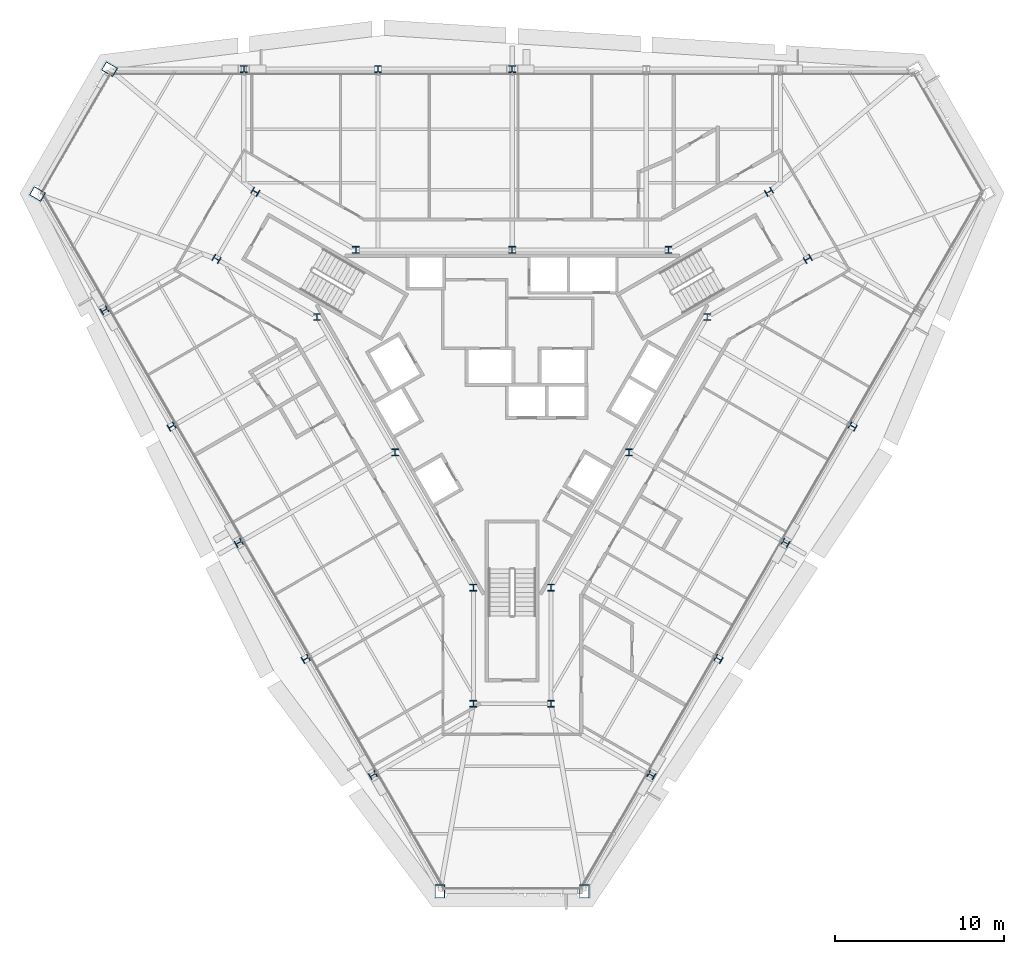
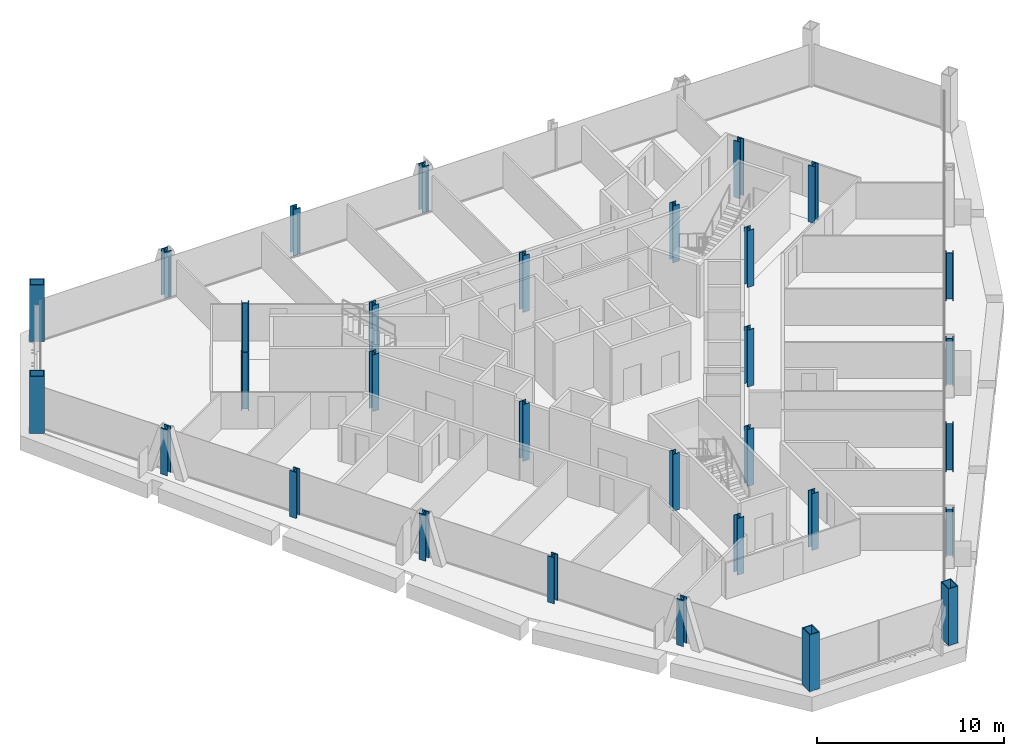
# One storey, part 1 of 14: 31 columns.
"""IFC4 building model written with IfcOpenShell, lengths in metres."""

from ifc_helpers import new_model, si_unit, direction, frame, origin, origin_2d, place, context, subcontext, project, spatial, hollow_rectangle, i_section, extrude, material, material_profile, profile_set, type_object, element, save


model = new_model("IFC4")

# Units and contexts
model_context = context("Model", 3, precision=1e-05, world=origin(), true_north=direction((0.0, 1.0)))
body_context = subcontext(model_context, "Body", "Model", "MODEL_VIEW")
ifc_project = project(units=[si_unit("LENGTHUNIT", "METRE"), si_unit("AREAUNIT", "SQUARE_METRE"), si_unit("VOLUMEUNIT", "CUBIC_METRE"), si_unit("PLANEANGLEUNIT", "RADIAN"), si_unit("MASSUNIT", "GRAM", prefix="KILO")], contexts=[model_context])

# Site, building, storey
site_placement = place(None, origin())
site = spatial("IfcSite", under=ifc_project, at=site_placement, CompositionType="ELEMENT")
building_placement = place(site_placement, origin())
building = spatial("IfcBuilding", under=site, at=building_placement, Name="Verrane Prism Tower", CompositionType="ELEMENT")
storey_placement = place(building_placement, frame((0.0, 0.0, 196.89990234375)))
storey = spatial("IfcBuildingStorey", under=building, at=storey_placement, Name="L49", CompositionType="ELEMENT", Elevation=196.89990234375)

# Columns
ifc_material_1 = material(Name="Steel A992", Category="steel")
ifc_material_profile_1 = material_profile(ifc_material_1, i_section(OverallWidth=0.406494140625, OverallDepth=0.41650390625, WebThickness=0.030029296875, FlangeThickness=0.048095703125, FilletRadius=0.01513671875, at=origin_2d()), Name="W14x257")
ifc_profile_set_1 = profile_set([ifc_material_profile_1], Name="Steel A992")
column_type_1 = type_object("IfcColumnType", Name="Core corner column W14x257", PredefinedType="COLUMN", material=ifc_profile_set_1)
for number, where, z_axis, x_axis, name in (
    (1, (17.52001953125, 7.4599609375, 0.0), (0.0, 0.0, 1.0), (0.5, -0.866025403784, 0.0), "Core corner column CK-NEm L49"),
    (2, (15.219970703125, 11.43994140625, 0.0), (0.0, 0.0, 1.0), (0.5, -0.866025403784, 0.0), "Core corner column CK-NEp L49"),
    (3, (-15.219970703125, 11.43994140625, 0.0), (0.0, 0.0, 1.0), (0.5, 0.866025403784, 0.0), "Core corner column CK-NWm L49"),
    (4, (-17.52001953125, 7.4599609375, 0.0), (0.0, 0.0, 1.0), (0.5, 0.866025403784, 0.0), "Core corner column CK-NWp L49"),
    (5, (-2.300048828125, -18.89990234375, 0.0), (0.0, 0.0, 1.0), (-1.0, 0.0, 0.0), "Core corner column CK-Sm L49"),
    (6, (2.300048828125, -18.89990234375, 0.0), (0.0, 0.0, 1.0), (-1.0, 0.0, 0.0), "Core corner column CK-Sp L49"),
):
    element("IfcColumn", number, at=place(storey_placement, frame(where, z_axis=z_axis, x_axis=x_axis)), inside=storey, type_object=column_type_1, Name=name, PredefinedType="COLUMN", context=body_context, shape_type="SweptSolid", body=[
        extrude(i_section(OverallWidth=0.406494140625, OverallDepth=0.41650390625, WebThickness=0.030029296875, FlangeThickness=0.048095703125, FilletRadius=0.01513671875, at=origin_2d()), origin(), (0.0, 0.0, 1.0), 3.7001953125),
    ])
ifc_material_2 = material(Name="Steel A992", Category="steel")
ifc_material_profile_2 = material_profile(ifc_material_2, i_section(OverallWidth=0.4013671875, OverallDepth=0.398681640625, WebThickness=0.02490234375, FlangeThickness=0.03955078125, FilletRadius=0.01513671875, at=origin_2d()), Name="W14x211")
ifc_profile_set_2 = profile_set([ifc_material_profile_2], Name="Steel A992")
column_type_2 = type_object("IfcColumnType", Name="Core side column W14x211", PredefinedType="COLUMN", material=ifc_profile_set_2)
for number, where, z_axis, x_axis, name in (
    (7, (11.56005859375, 4.02001953125, 0.0), (0.0, 0.0, 1.0), (1.0, 0.0, 0.0), "Core side column CC-NEm L49"),
    (8, (9.260009765625, 8.0, 0.0), (0.0, 0.0, 1.0), (1.0, 0.0, 0.0), "Core side column CC-NEp L49"),
    (9, (0.0, 8.0, 0.0), (0.0, 0.0, 1.0), (1.0, 0.0, 0.0), "Core side column CC-N0 L49"),
    (10, (-9.260009765625, 8.0, 0.0), (0.0, 0.0, 1.0), (1.0, 0.0, 0.0), "Core side column CC-NWm L49"),
    (11, (-11.56005859375, 4.02001953125, 0.0), (0.0, 0.0, 1.0), (1.0, 0.0, 0.0), "Core side column CC-NWp L49"),
    (12, (-6.929931640625, -4.0, 0.0), (0.0, 0.0, 1.0), (1.0, 0.0, 0.0), "Core side column CC-SW0 L49"),
    (13, (-2.300048828125, -12.02001953125, 0.0), (0.0, 0.0, 1.0), (1.0, 0.0, 0.0), "Core side column CC-Sm L49"),
    (14, (2.300048828125, -12.02001953125, 0.0), (0.0, 0.0, 1.0), (1.0, 0.0, 0.0), "Core side column CC-Sp L49"),
    (15, (6.929931640625, -4.0, 0.0), (0.0, 0.0, 1.0), (1.0, 0.0, 0.0), "Core side column CC-SE0 L49"),
):
    element("IfcColumn", number, at=place(storey_placement, frame(where, z_axis=z_axis, x_axis=x_axis)), inside=storey, type_object=column_type_2, Name=name, PredefinedType="COLUMN", context=body_context, shape_type="SweptSolid", body=[
        extrude(i_section(OverallWidth=0.4013671875, OverallDepth=0.398681640625, WebThickness=0.02490234375, FlangeThickness=0.03955078125, FilletRadius=0.01513671875, at=origin_2d()), origin(), (0.0, 0.0, 1.0), 3.7001953125),
    ])
ifc_material_3 = material(Name="Steel A572 Grade 50", Category="steel")
ifc_material_profile_3 = material_profile(ifc_material_3, hollow_rectangle(XDim=0.60009765625, YDim=0.800048828125, WallThickness=0.050048828125, at=origin_2d()), Name="BOX 800x600x50")
ifc_profile_set_3 = profile_set([ifc_material_profile_3], Name="Steel A572 Grade 50")
column_type_3 = type_object("IfcColumnType", Name="Megacolumn BOX 800x600x50", PredefinedType="COLUMN", material=ifc_profile_set_3)
for number, where, z_axis, x_axis, name in (
    (16, (-23.860107421875, 18.7099609375, 0.0), (0.0, 0.0, 1.0), (0.5, 0.866025403784, 0.0), "Megacolumn MC-NW.a L49"),
    (17, (-28.1298828125, 11.31005859375, 0.0), (0.0, 0.0, 1.0), (0.5, 0.866025403784, 0.0), "Megacolumn MC-NW.b L49"),
    (18, (-4.280029296875, -30.02001953125, 0.0), (0.0, 0.0, 1.0), (-1.0, 0.0, 0.0), "Megacolumn MC-S.a L49"),
    (19, (4.280029296875, -30.02001953125, 0.0), (0.0, 0.0, 1.0), (-1.0, 0.0, 0.0), "Megacolumn MC-S.b L49"),
):
    element("IfcColumn", number, at=place(storey_placement, frame(where, z_axis=z_axis, x_axis=x_axis)), inside=storey, type_object=column_type_3, Name=name, PredefinedType="COLUMN", context=body_context, shape_type="SweptSolid", body=[
        extrude(hollow_rectangle(XDim=0.60009765625, YDim=0.800048828125, WallThickness=0.050048828125, at=origin_2d()), origin(), (0.0, 0.0, 1.0), 3.7001953125),
    ])
ifc_material_4 = material(Name="Steel A992", Category="steel")
ifc_material_profile_4 = material_profile(ifc_material_4, i_section(OverallWidth=0.406494140625, OverallDepth=0.41650390625, WebThickness=0.030029296875, FlangeThickness=0.048095703125, FilletRadius=0.01513671875, at=origin_2d()), Name="W14x257")
ifc_profile_set_4 = profile_set([ifc_material_profile_4], Name="Steel A992")
column_type_4 = type_object("IfcColumnType", Name="Perimeter column W14x257", PredefinedType="COLUMN", material=ifc_profile_set_4)
for number, where, z_axis, x_axis, name in (
    (20, (0.0, 18.7099609375, 0.0), (0.0, 0.0, 1.0), (1.0, 0.0, 0.0), "Perimeter column PC-N3 L49"),
    (21, (-7.949951171875, 18.7099609375, 0.0), (0.0, 0.0, 1.0), (1.0, 0.0, 0.0), "Perimeter column PC-N4 L49"),
    (22, (-15.89990234375, 18.7099609375, 0.0), (0.0, 0.0, 1.0), (1.0, 0.0, 0.0), "Perimeter column PC-N5 L49"),
    (23, (-24.159912109375, 4.419921875, 0.0), (0.0, 0.0, 1.0), (-0.5, 0.866025403784, 0.0), "Perimeter column PC-SW1 L49"),
    (24, (-20.179931640625, -2.469970703125, 0.0), (0.0, 0.0, 1.0), (-0.5, 0.866025403784, 0.0), "Perimeter column PC-SW2 L49"),
    (25, (-16.199951171875, -9.360107421875, 0.0), (0.0, 0.0, 1.0), (-0.5, 0.866025403784, 0.0), "Perimeter column PC-SW3 L49"),
    (26, (-12.22998046875, -16.239990234375, 0.0), (0.0, 0.0, 1.0), (-0.5, 0.866025403784, 0.0), "Perimeter column PC-SW4 L49"),
    (27, (-8.25, -23.1298828125, 0.0), (0.0, 0.0, 1.0), (-0.5, 0.866025403784, 0.0), "Perimeter column PC-SW5 L49"),
    (28, (8.25, -23.1298828125, 0.0), (0.0, 0.0, 1.0), (-0.5, -0.866025403784, 0.0), "Perimeter column PC-SE1 L49"),
    (29, (12.22998046875, -16.239990234375, 0.0), (0.0, 0.0, 1.0), (-0.5, -0.866025403784, 0.0), "Perimeter column PC-SE2 L49"),
    (30, (16.199951171875, -9.360107421875, 0.0), (0.0, 0.0, 1.0), (-0.5, -0.866025403784, 0.0), "Perimeter column PC-SE3 L49"),
    (31, (20.179931640625, -2.469970703125, 0.0), (0.0, 0.0, 1.0), (-0.5, -0.866025403784, 0.0), "Perimeter column PC-SE4 L49"),
):
    element("IfcColumn", number, at=place(storey_placement, frame(where, z_axis=z_axis, x_axis=x_axis)), inside=storey, type_object=column_type_4, Name=name, PredefinedType="COLUMN", context=body_context, shape_type="SweptSolid", body=[
        extrude(i_section(OverallWidth=0.406494140625, OverallDepth=0.41650390625, WebThickness=0.030029296875, FlangeThickness=0.048095703125, FilletRadius=0.01513671875, at=origin_2d()), origin(), (0.0, 0.0, 1.0), 3.010009765625),
    ])

save(model, "model.ifc")
